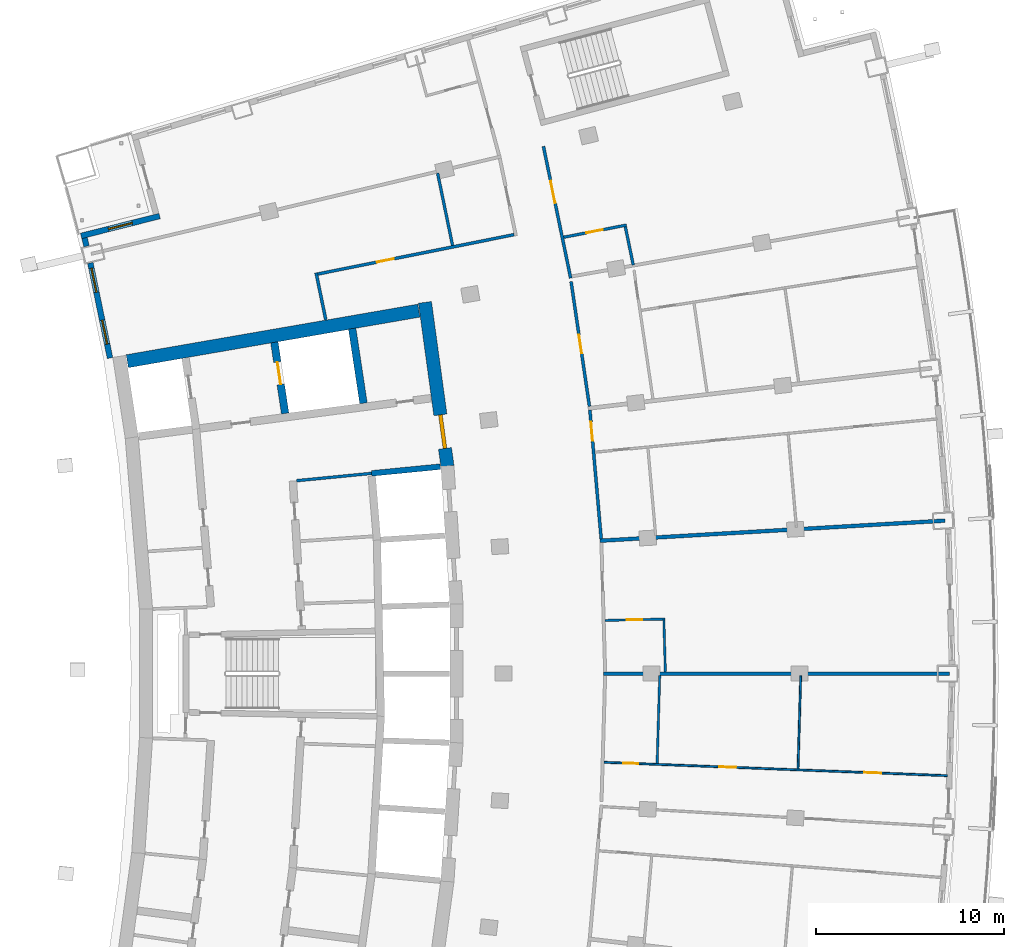
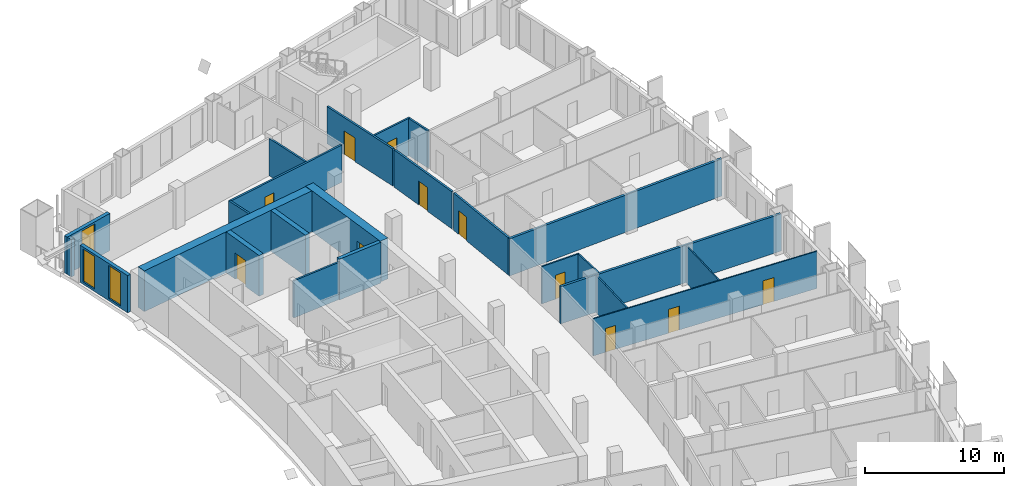
# One storey, part 14 of 20: 24 walls, 11 doors, 3 windows, 14 openings.
"""IFC4 building model written with IfcOpenShell, lengths in metres."""

from ifc_helpers import new_model, si_unit, direction, frame, frame_2d, origin, place, context, subcontext, project, spatial, rectangle, extrude, material, layer, layer_set, type_object, element, fill, save


model = new_model("IFC4")

# Units and contexts
model_context = context("Model", 3, precision=1e-05, world=origin(), true_north=direction((0.0, 1.0)))
body_context = subcontext(model_context, "Body", "Model", "MODEL_VIEW")
ifc_project = project(units=[si_unit("LENGTHUNIT", "METRE"), si_unit("AREAUNIT", "SQUARE_METRE"), si_unit("VOLUMEUNIT", "CUBIC_METRE"), si_unit("PLANEANGLEUNIT", "RADIAN"), si_unit("MASSUNIT", "GRAM", prefix="KILO")], contexts=[model_context])

# Site, building, storey
site_placement = place(None, origin())
site = spatial("IfcSite", under=ifc_project, at=site_placement, CompositionType="ELEMENT")
building_placement = place(site_placement, origin())
building = spatial("IfcBuilding", under=site, at=building_placement, Name="Alderwake Tower", CompositionType="ELEMENT")
storey_placement = place(building_placement, frame((0.0, 0.0, 167.60009765625)))
storey = spatial("IfcBuildingStorey", under=building, at=storey_placement, Name="L41", CompositionType="ELEMENT", Elevation=167.60009765625)

# Wall
ifc_material_1 = material(Name="Gypsum shaft wall system, rated")
ifc_layer_1 = layer(ifc_material_1, 0.14990234375)
ifc_layer_set_1 = layer_set([ifc_layer_1], Name="Core room partition 150")
wall_type_1 = type_object("IfcWallType", Name="Core room partition 150", PredefinedType="PARTITIONING", material=ifc_layer_set_1)
wall_1_placement = place(storey_placement, frame((24.799560546875, 71.2548828125, 0.0), z_axis=(0.0, 0.0, 1.0), x_axis=(0.995250000627, 0.097352125046, 0.0)))
element("IfcWall", 1, at=wall_1_placement, inside=storey, type_object=wall_type_1, Name="CW/L41/PR+102_+86", PredefinedType="PARTITIONING", context=body_context, shape_type="SweptSolid", body=[
    extrude(rectangle(XDim=4.0, YDim=0.14990234375, at=frame_2d((2.0, 0.0))), origin(), (0.0, 0.0, 1.0), 3.27978515625),
])

# Wall, opening, door
ifc_material_2 = material(Name="Concrete C70/85", Category="concrete")
ifc_layer_2 = layer(ifc_material_2, 0.699951171875)
ifc_layer_set_2 = layer_set([ifc_layer_2], Name="Core wall outer 700 C70-85")
wall_type_2 = type_object("IfcWallType", Name="Core wall outer 700 C70-85", PredefinedType="SHEAR", material=ifc_layer_set_2)
wall_2_placement = place(storey_placement, frame((31.618896484375, 80.735107421875, 0.0), z_axis=(0.0, 0.0, 1.0), x_axis=(0.135835706655, -0.99073137671, 0.0)))
wall_2 = element("IfcWall", 2, at=wall_2_placement, inside=storey, type_object=wall_type_2, Name="Core wall CW.009", PredefinedType="SHEAR", context=body_context, shape_type="SweptSolid", body=[
    extrude(rectangle(XDim=8.790771484375, YDim=0.699951171875, at=frame_2d((4.3955078125, 0.0))), origin(), (0.0, 0.0, 1.0), 3.599853515625),
])
opening_1_placement = place(wall_2_placement, frame((6.035888671875, 0.0, 0.0)))
opening_1 = element("IfcOpeningElement", 3, at=opening_1_placement, cuts=wall_2, Name="Opening C001", PredefinedType="OPENING", context=body_context, shape_type="SweptSolid", body=[
    extrude(rectangle(XDim=1.800048828125, YDim=2.10009765625, at=frame_2d((0.89990234375, 1.050048828125))), frame((0.0, 0.35986328125, 0.0), z_axis=(0.0, -1.0, 0.0), x_axis=(1.0, 0.0, 0.0)), (0.0, 0.0, 1.0), 0.719970703125),
])
ifc_material_3 = material(Name="Steel-framed fire door leaves", Category="steel")
door_type_1 = type_object("IfcDoorType", Name="Core double door 1800 fire-rated", OperationType="DOUBLE_DOOR_SINGLE_SWING", PredefinedType="DOOR", material=ifc_material_3)
door_1_placement = place(opening_1_placement, origin())
door_1 = element("IfcDoor", 4, at=door_1_placement, inside=storey, type_object=door_type_1, Name="Lobby double door", OperationType="DOUBLE_DOOR_SINGLE_SWING", OverallHeight=2.10009765625, OverallWidth=1.800048828125, PredefinedType="DOOR", context=body_context, shape_type="SweptSolid", body=[
    extrude(rectangle(XDim=1.800048828125, YDim=2.10009765625, at=frame_2d((0.89990234375, 1.050048828125))), frame((0.0, 0.10009765625, 0.0), z_axis=(0.0, -1.0, 0.0), x_axis=(1.0, 0.0, 0.0)), (0.0, 0.0, 1.0), 0.199951171875),
])
fill(opening_1, door_1)

# Walls
wall_3_placement = place(storey_placement, frame((15.79443359375, 77.606689453125, 0.0), z_axis=(0.0, 0.0, 1.0), x_axis=(0.985301369349, 0.170825090542, 0.0)))
element("IfcWall", 5, at=wall_3_placement, inside=storey, type_object=wall_type_2, Name="Core wall CW.055", PredefinedType="SHEAR", context=body_context, shape_type="SweptSolid", body=[
    extrude(rectangle(XDim=15.732421875, YDim=0.699951171875, at=frame_2d((7.8662109375, 0.0))), origin(), (0.0, 0.0, 1.0), 3.599853515625),
])
ifc_material_4 = material(Name="Concrete C70/85", Category="concrete")
ifc_layer_3 = layer(ifc_material_4, 0.300048828125)
ifc_layer_set_3 = layer_set([ifc_layer_3], Name="Core wall shaft 300 C70-85")
wall_type_3 = type_object("IfcWallType", Name="Core wall shaft 300 C70-85", PredefinedType="SHEAR", material=ifc_layer_set_3)
wall_4_placement = place(storey_placement, frame((28.780517578125, 71.644287109375, 0.0), z_axis=(0.0, 0.0, 1.0), x_axis=(0.995245736737, 0.097395705788, 0.0)))
element("IfcWall", 6, at=wall_4_placement, inside=storey, type_object=wall_type_3, Name="Core wall CW.049", PredefinedType="SHEAR", context=body_context, shape_type="SweptSolid", body=[
    extrude(rectangle(XDim=3.669677734375, YDim=0.300048828125, at=frame_2d((1.8349609375, 0.0))), origin(), (0.0, 0.0, 1.0), 3.599853515625),
])

# Wall, opening, door
ifc_material_5 = material(Name="Concrete C70/85", Category="concrete")
ifc_layer_4 = layer(ifc_material_5, 0.39990234375)
ifc_layer_set_4 = layer_set([ifc_layer_4], Name="Core wall spine 400 C70-85")
wall_type_4 = type_object("IfcWallType", Name="Core wall spine 400 C70-85", PredefinedType="SHEAR", material=ifc_layer_set_4)
wall_5_placement = place(storey_placement, frame((24.186279296875, 74.82861328125, 0.0), z_axis=(0.0, 0.0, 1.0), x_axis=(-0.149604879253, 0.988745862243, 0.0)))
wall_5 = element("IfcWall", 7, at=wall_5_placement, inside=storey, type_object=wall_type_4, Name="Core wall CW.044", PredefinedType="SHEAR", context=body_context, shape_type="SweptSolid", body=[
    extrude(rectangle(XDim=3.823486328125, YDim=0.39990234375, at=frame_2d((1.91162109375, 0.0))), origin(), (0.0, 0.0, 1.0), 3.599853515625),
])
opening_2_placement = place(wall_5_placement, frame((1.561767578125, 0.0, 0.0)))
opening_2 = element("IfcOpeningElement", 8, at=opening_2_placement, cuts=wall_5, Name="Opening LD-FF2", PredefinedType="OPENING", context=body_context, shape_type="SweptSolid", body=[
    extrude(rectangle(XDim=1.199951171875, YDim=2.300048828125, at=frame_2d((0.60009765625, 1.14990234375))), frame((0.0, 0.2099609375, 0.0), z_axis=(0.0, -1.0, 0.0), x_axis=(1.0, 0.0, 0.0)), (0.0, 0.0, 1.0), 0.419921875),
])
ifc_material_6 = material(Name="Stainless steel sliding leaf", Category="steel")
door_type_2 = type_object("IfcDoorType", Name="Lift landing door 1200", OperationType="SLIDING_TO_LEFT", PredefinedType="DOOR", material=ifc_material_6)
door_2_placement = place(opening_2_placement, origin())
door_2 = element("IfcDoor", 9, at=door_2_placement, inside=storey, type_object=door_type_2, Name="Lift landing door FF2", OperationType="SLIDING_TO_LEFT", OverallHeight=2.300048828125, OverallWidth=1.199951171875, PredefinedType="DOOR", context=body_context, shape_type="SweptSolid", body=[
    extrude(rectangle(XDim=1.199951171875, YDim=2.300048828125, at=frame_2d((0.60009765625, 1.14990234375))), frame((0.0, 0.02490234375, 0.0), z_axis=(0.0, -1.0, 0.0), x_axis=(1.0, 0.0, 0.0)), (0.0, 0.0, 1.0), 0.050048828125),
])
fill(opening_2, door_2)

# Walls
wall_6_placement = place(storey_placement, frame((28.350830078125, 75.373291015625, 0.0), z_axis=(0.0, 0.0, 1.0), x_axis=(-0.149688214264, 0.988733249421, 0.0)))
element("IfcWall", 10, at=wall_6_placement, inside=storey, type_object=wall_type_4, Name="Core wall CW.001", PredefinedType="SHEAR", context=body_context, shape_type="SweptSolid", body=[
    extrude(rectangle(XDim=4.01220703125, YDim=0.39990234375, at=frame_2d((2.006103515625, 0.0))), origin(), (0.0, 0.0, 1.0), 3.599853515625),
])
ifc_material_7 = material(Name="Gypsum board on metal studs, rated")
ifc_layer_5 = layer(ifc_material_7, 0.159912109375)
ifc_layer_set_5 = layer_set([ifc_layer_5], Name="Corridor wall 160")
wall_type_5 = type_object("IfcWallType", Name="Corridor wall 160", PredefinedType="PARTITIONING", material=ifc_layer_set_5)
wall_7_placement = place(storey_placement, frame((25.831787109375, 82.305419921875, 0.0), z_axis=(0.0, 0.0, 1.0), x_axis=(0.202450797205, -0.979292435747, 0.0)))
element("IfcWall", 11, at=wall_7_placement, inside=storey, type_object=wall_type_5, Name="WL/L41/W14", PredefinedType="PARTITIONING", context=body_context, shape_type="SweptSolid", body=[
    extrude(rectangle(XDim=2.555419921875, YDim=0.159912109375, at=frame_2d((1.27783203125, 0.0))), origin(), (0.0, 0.0, 1.0), 3.27978515625),
])

# Wall, opening, door
wall_8_placement = place(storey_placement, frame((25.926513671875, 82.24267578125, 0.0), z_axis=(0.0, 0.0, 1.0), x_axis=(0.98046310274, 0.196703086316, 0.0)))
wall_8 = element("IfcWall", 12, at=wall_8_placement, inside=storey, type_object=wall_type_5, Name="WL/L41/W19", PredefinedType="PARTITIONING", context=body_context, shape_type="SweptSolid", body=[
    extrude(rectangle(XDim=10.637939453125, YDim=0.159912109375, at=frame_2d((5.31884765625, 0.0))), origin(), (0.0, 0.0, 1.0), 3.27978515625),
])
opening_3_placement = place(wall_8_placement, frame((3.208984375, 0.0, 0.0)))
opening_3 = element("IfcOpeningElement", 13, at=opening_3_placement, cuts=wall_8, Name="Opening R11-SBN1", PredefinedType="OPENING", context=body_context, shape_type="SweptSolid", body=[
    extrude(rectangle(XDim=0.89990234375, YDim=2.10009765625, at=frame_2d((0.449951171875, 1.050048828125))), frame((0.0, 0.08984375, 0.0), z_axis=(0.0, -1.0, 0.0), x_axis=(1.0, 0.0, 0.0)), (0.0, 0.0, 1.0), 0.179931640625),
])
ifc_material_8 = material(Name="Painted timber leaf", Category="wood")
door_type_3 = type_object("IfcDoorType", Name="Room door 900", OperationType="SINGLE_SWING_LEFT", PredefinedType="DOOR", material=ifc_material_8)
door_3_placement = place(opening_3_placement, origin())
door_3 = element("IfcDoor", 14, at=door_3_placement, inside=storey, type_object=door_type_3, Name="DR/L41/SBN1", OperationType="SINGLE_SWING_LEFT", OverallHeight=2.10009765625, OverallWidth=0.89990234375, PredefinedType="DOOR", context=body_context, shape_type="SweptSolid", body=[
    extrude(rectangle(XDim=0.89990234375, YDim=2.10009765625, at=frame_2d((0.449951171875, 1.050048828125))), frame((0.0, 0.02490234375, 0.0), z_axis=(0.0, -1.0, 0.0), x_axis=(1.0, 0.0, 0.0)), (0.0, 0.0, 1.0), 0.050048828125),
])
fill(opening_3, door_3)

wall_9_placement = place(storey_placement, frame((37.9169921875, 89.02490234375, 0.0), z_axis=(0.0, 0.0, 1.0), x_axis=(0.202409142021, -0.979301046271, 0.0)))
wall_9 = element("IfcWall", 15, at=wall_9_placement, inside=storey, type_object=wall_type_5, Name="WL/L41/W22", PredefinedType="PARTITIONING", context=body_context, shape_type="SweptSolid", body=[
    extrude(rectangle(XDim=7.150146484375, YDim=0.159912109375, at=frame_2d((3.5751953125, 0.0))), origin(), (0.0, 0.0, 1.0), 3.27978515625),
])
opening_4_placement = place(wall_9_placement, frame((1.874755859375, 0.0, 0.0)))
opening_4 = element("IfcOpeningElement", 16, at=opening_4_placement, cuts=wall_9, Name="Opening R11-AM1.1", PredefinedType="OPENING", context=body_context, shape_type="SweptSolid", body=[
    extrude(rectangle(XDim=1.199951171875, YDim=2.10009765625, at=frame_2d((0.60009765625, 1.050048828125))), frame((0.0, 0.08984375, 0.0), z_axis=(0.0, -1.0, 0.0), x_axis=(1.0, 0.0, 0.0)), (0.0, 0.0, 1.0), 0.179931640625),
])
ifc_material_9 = material(Name="Steel-framed fire door leaf", Category="steel")
door_type_4 = type_object("IfcDoorType", Name="Lobby door 1200 fire-rated", OperationType="SINGLE_SWING_LEFT", PredefinedType="DOOR", material=ifc_material_9)
door_4_placement = place(opening_4_placement, origin())
door_4 = element("IfcDoor", 17, at=door_4_placement, inside=storey, type_object=door_type_4, Name="DR/L41/AM1.1", OperationType="SINGLE_SWING_LEFT", OverallHeight=2.10009765625, OverallWidth=1.199951171875, PredefinedType="DOOR", context=body_context, shape_type="SweptSolid", body=[
    extrude(rectangle(XDim=1.199951171875, YDim=2.10009765625, at=frame_2d((0.60009765625, 1.050048828125))), frame((0.0, 0.02490234375, 0.0), z_axis=(0.0, -1.0, 0.0), x_axis=(1.0, 0.0, 0.0)), (0.0, 0.0, 1.0), 0.050048828125),
])
fill(opening_4, door_4)

wall_10_placement = place(storey_placement, frame((39.38671875, 81.837158203125, 0.0), z_axis=(0.0, 0.0, 1.0), x_axis=(0.145576845789, -0.989346947218, 0.0)))
wall_10 = element("IfcWall", 18, at=wall_10_placement, inside=storey, type_object=wall_type_5, Name="WL/L41/W24", PredefinedType="PARTITIONING", context=body_context, shape_type="SweptSolid", body=[
    extrude(rectangle(XDim=6.701416015625, YDim=0.159912109375, at=frame_2d((3.3505859375, 0.0))), origin(), (0.0, 0.0, 1.0), 3.27978515625),
])
opening_5_placement = place(wall_10_placement, frame((2.850830078125, 0.0, 0.0)))
opening_5 = element("IfcOpeningElement", 19, at=opening_5_placement, cuts=wall_10, Name="Opening R11-U08.2", PredefinedType="OPENING", context=body_context, shape_type="SweptSolid", body=[
    extrude(rectangle(XDim=1.0, YDim=2.10009765625, at=frame_2d((0.5, 1.050048828125))), frame((0.0, 0.08984375, 0.0), z_axis=(0.0, -1.0, 0.0), x_axis=(1.0, 0.0, 0.0)), (0.0, 0.0, 1.0), 0.179931640625),
])
ifc_material_10 = material(Name="Solid timber leaf in steel frame", Category="steel")
door_type_5 = type_object("IfcDoorType", Name="Flat entrance door 1000 fire-rated", OperationType="SINGLE_SWING_LEFT", PredefinedType="DOOR", material=ifc_material_10)
door_5_placement = place(opening_5_placement, origin())
door_5 = element("IfcDoor", 20, at=door_5_placement, inside=storey, type_object=door_type_5, Name="DR/L41/U08.2", OperationType="SINGLE_SWING_LEFT", OverallHeight=2.10009765625, OverallWidth=1.0, PredefinedType="DOOR", context=body_context, shape_type="SweptSolid", body=[
    extrude(rectangle(XDim=1.0, YDim=2.10009765625, at=frame_2d((0.5, 1.050048828125))), frame((0.0, 0.02490234375, 0.0), z_axis=(0.0, -1.0, 0.0), x_axis=(1.0, 0.0, 0.0)), (0.0, 0.0, 1.0), 0.050048828125),
])
fill(opening_5, door_5)

wall_11_placement = place(storey_placement, frame((40.3857421875, 75.00830078125, 0.0), z_axis=(0.0, 0.0, 1.0), x_axis=(0.087448731147, -0.996169021512, 0.0)))
wall_11 = element("IfcWall", 21, at=wall_11_placement, inside=storey, type_object=wall_type_5, Name="WL/L41/W26", PredefinedType="PARTITIONING", context=body_context, shape_type="SweptSolid", body=[
    extrude(rectangle(XDim=6.867919921875, YDim=0.159912109375, at=frame_2d((3.43408203125, 0.0))), origin(), (0.0, 0.0, 1.0), 3.27978515625),
])
opening_6_placement = place(wall_11_placement, frame((0.628173828125, 0.0, 0.0)))
opening_6 = element("IfcOpeningElement", 22, at=opening_6_placement, cuts=wall_11, Name="Opening R11-U07.2", PredefinedType="OPENING", context=body_context, shape_type="SweptSolid", body=[
    extrude(rectangle(XDim=1.0, YDim=2.10009765625, at=frame_2d((0.5, 1.050048828125))), frame((0.0, 0.08984375, 0.0), z_axis=(0.0, -1.0, 0.0), x_axis=(1.0, 0.0, 0.0)), (0.0, 0.0, 1.0), 0.179931640625),
])
door_6_placement = place(opening_6_placement, origin())
door_6 = element("IfcDoor", 23, at=door_6_placement, inside=storey, type_object=door_type_5, Name="DR/L41/U07.2", OperationType="SINGLE_SWING_LEFT", OverallHeight=2.10009765625, OverallWidth=1.0, PredefinedType="DOOR", context=body_context, shape_type="SweptSolid", body=[
    extrude(rectangle(XDim=1.0, YDim=2.10009765625, at=frame_2d((0.5, 1.050048828125))), frame((0.0, 0.02490234375, 0.0), z_axis=(0.0, -1.0, 0.0), x_axis=(1.0, 0.0, 0.0)), (0.0, 0.0, 1.0), 0.050048828125),
])
fill(opening_6, door_6)

# Wall
ifc_material_11 = material(Name="Precast concrete C50/60 spandrel panel", Category="concrete")
ifc_layer_6 = layer(ifc_material_11, 0.300048828125)
ifc_layer_set_6 = layer_set([ifc_layer_6], Name="External wall EW1 Precast concrete C50/60 spandrel")
wall_type_6 = type_object("IfcWallType", Name="External wall EW1 Precast concrete C50/60 spandrel", PredefinedType="SOLIDWALL", material=ifc_layer_set_6)
wall_12_placement = place(storey_placement, frame((13.523193359375, 84.1572265625, 0.0), z_axis=(0.0, 0.0, 1.0), x_axis=(0.238729806706, -0.97108603089, 0.0)))
element("IfcWall", 24, at=wall_12_placement, inside=storey, type_object=wall_type_6, Name="External wall 30", PredefinedType="SOLIDWALL", context=body_context, shape_type="SweptSolid", body=[
    extrude(rectangle(XDim=0.453125, YDim=0.300048828125, at=frame_2d((0.2265625, 0.0))), origin(), (0.0, 0.0, 1.0), 3.27978515625),
])

# Wall, openings, windows
wall_13_placement = place(storey_placement, frame((13.83203125, 82.8291015625, 0.0), z_axis=(0.0, 0.0, 1.0), x_axis=(0.202754243564, -0.979229654737, 0.0)))
wall_13 = element("IfcWall", 25, at=wall_13_placement, inside=storey, type_object=wall_type_6, Name="External wall 31", PredefinedType="SOLIDWALL", context=body_context, shape_type="SweptSolid", body=[
    extrude(rectangle(XDim=5.15966796875, YDim=0.300048828125, at=frame_2d((2.579833984375, 0.0))), origin(), (0.0, 0.0, 1.0), 3.27978515625),
])
opening_7_placement = place(wall_13_placement, frame((0.29052734375, 0.0, 0.199951171875)))
opening_7 = element("IfcOpeningElement", 26, at=opening_7_placement, cuts=wall_13, Name="Opening W1", PredefinedType="OPENING", context=body_context, shape_type="SweptSolid", body=[
    extrude(rectangle(XDim=1.300048828125, YDim=2.89990234375, at=frame_2d((0.64990234375, 1.449951171875))), frame((0.0, 0.159912109375, 0.0), z_axis=(0.0, -1.0, 0.0), x_axis=(1.0, 0.0, 0.0)), (0.0, 0.0, 1.0), 0.320068359375),
])
opening_8_placement = place(wall_13_placement, frame((3.103271484375, 0.0, 0.199951171875)))
opening_8 = element("IfcOpeningElement", 27, at=opening_8_placement, cuts=wall_13, Name="Opening W1", PredefinedType="OPENING", context=body_context, shape_type="SweptSolid", body=[
    extrude(rectangle(XDim=1.300048828125, YDim=2.89990234375, at=frame_2d((0.64990234375, 1.449951171875))), frame((0.0, 0.159912109375, 0.0), z_axis=(0.0, -1.0, 0.0), x_axis=(1.0, 0.0, 0.0)), (0.0, 0.0, 1.0), 0.320068359375),
])
ifc_material_12 = material(Name="Bronze tinted glass in aluminium frame", Category="aluminium")
window_type = type_object("IfcWindowType", Name="Window W1 tall fixed and vent", PartitioningType="DOUBLE_PANEL_VERTICAL", PredefinedType="WINDOW", material=ifc_material_12)
window_1_placement = place(opening_7_placement, origin())
window_1 = element("IfcWindow", 28, at=window_1_placement, inside=storey, type_object=window_type, Name="Window W1 tall fixed and vent", OverallHeight=2.89990234375, OverallWidth=1.300048828125, PartitioningType="DOUBLE_PANEL_VERTICAL", PredefinedType="WINDOW", context=body_context, shape_type="SweptSolid", body=[
    extrude(rectangle(XDim=1.300048828125, YDim=2.89990234375, at=frame_2d((0.64990234375, 1.449951171875))), frame((0.0, 0.030029296875, 0.0), z_axis=(0.0, -1.0, 0.0), x_axis=(1.0, 0.0, 0.0)), (0.0, 0.0, 1.0), 0.06005859375),
])
fill(opening_7, window_1)
window_2_placement = place(opening_8_placement, origin())
window_2 = element("IfcWindow", 29, at=window_2_placement, inside=storey, type_object=window_type, Name="Window W1 tall fixed and vent", OverallHeight=2.89990234375, OverallWidth=1.300048828125, PartitioningType="DOUBLE_PANEL_VERTICAL", PredefinedType="WINDOW", context=body_context, shape_type="SweptSolid", body=[
    extrude(rectangle(XDim=1.300048828125, YDim=2.89990234375, at=frame_2d((0.64990234375, 1.449951171875))), frame((0.0, 0.030029296875, 0.0), z_axis=(0.0, -1.0, 0.0), x_axis=(1.0, 0.0, 0.0)), (0.0, 0.0, 1.0), 0.06005859375),
])
fill(opening_8, window_2)

# Wall, opening, window
ifc_material_13 = material(Name="Bronze metal cladding on lightweight framing")
ifc_layer_7 = layer(ifc_material_13, 0.300048828125)
ifc_layer_set_7 = layer_set([ifc_layer_7], Name="External wall EW2 bronze metal cladding")
wall_type_7 = type_object("IfcWallType", Name="External wall EW2 bronze metal cladding", PredefinedType="SOLIDWALL", material=ifc_layer_set_7)
wall_14_placement = place(storey_placement, frame((17.51611328125, 85.32275390625, 0.0), z_axis=(0.0, 0.0, 1.0), x_axis=(-0.969417740682, -0.245416470617, 0.0)))
wall_14 = element("IfcWall", 30, at=wall_14_placement, inside=storey, type_object=wall_type_7, Name="External wall 29", PredefinedType="SOLIDWALL", context=body_context, shape_type="SweptSolid", body=[
    extrude(rectangle(XDim=4.305419921875, YDim=0.300048828125, at=frame_2d((2.15283203125, 0.0))), origin(), (0.0, 0.0, 1.0), 3.27978515625),
])
opening_9_placement = place(wall_14_placement, frame((1.502685546875, 0.0, 0.199951171875)))
opening_9 = element("IfcOpeningElement", 31, at=opening_9_placement, cuts=wall_14, Name="Opening W1", PredefinedType="OPENING", context=body_context, shape_type="SweptSolid", body=[
    extrude(rectangle(XDim=1.300048828125, YDim=2.89990234375, at=frame_2d((0.64990234375, 1.449951171875))), frame((0.0, 0.159912109375, 0.0), z_axis=(0.0, -1.0, 0.0), x_axis=(1.0, 0.0, 0.0)), (0.0, 0.0, 1.0), 0.320068359375),
])
window_3_placement = place(opening_9_placement, origin())
window_3 = element("IfcWindow", 32, at=window_3_placement, inside=storey, type_object=window_type, Name="Window W1 tall fixed and vent", OverallHeight=2.89990234375, OverallWidth=1.300048828125, PartitioningType="DOUBLE_PANEL_VERTICAL", PredefinedType="WINDOW", context=body_context, shape_type="SweptSolid", body=[
    extrude(rectangle(XDim=1.300048828125, YDim=2.89990234375, at=frame_2d((0.64990234375, 1.449951171875))), frame((0.0, 0.030029296875, 0.0), z_axis=(0.0, -1.0, 0.0), x_axis=(1.0, 0.0, 0.0)), (0.0, 0.0, 1.0), 0.06005859375),
])
fill(opening_9, window_3)

# Walls
ifc_material_14 = material(Name="Dense block masonry wall", Category="masonry")
ifc_layer_8 = layer(ifc_material_14, 0.199951171875)
ifc_layer_set_8 = layer_set([ifc_layer_8], Name="Party wall 200")
wall_type_8 = type_object("IfcWallType", Name="Party wall 200", PredefinedType="SOLIDWALL", material=ifc_layer_set_8)
wall_15_placement = place(storey_placement, frame((59.261962890625, 69.132080078125, 0.0), z_axis=(0.0, 0.0, 1.0), x_axis=(-0.99830424713, -0.058211941755, 0.0)))
element("IfcWall", 33, at=wall_15_placement, inside=storey, type_object=wall_type_8, Name="WL/L41/W04", PredefinedType="SOLIDWALL", context=body_context, shape_type="SweptSolid", body=[
    extrude(rectangle(XDim=18.378173828125, YDim=0.199951171875, at=frame_2d((9.18896484375, 0.0))), origin(), (0.0, 0.0, 1.0), 3.27978515625),
])
wall_16_placement = place(storey_placement, frame((59.4990234375, 60.9990234375, 0.0), z_axis=(0.0, 0.0, 1.0), x_axis=(-1.0, 0.0, 0.0)))
element("IfcWall", 34, at=wall_16_placement, inside=storey, type_object=wall_type_8, Name="WL/L41/W05", PredefinedType="SOLIDWALL", context=body_context, shape_type="SweptSolid", body=[
    extrude(rectangle(XDim=18.380126953125, YDim=0.199951171875, at=frame_2d((9.18994140625, 0.0))), origin(), (0.0, 0.0, 1.0), 3.27978515625),
])
ifc_material_15 = material(Name="Gypsum shaft wall system, rated")
ifc_layer_9 = layer(ifc_material_15, 0.14990234375)
ifc_layer_set_9 = layer_set([ifc_layer_9], Name="Riser and shaft wall 150")
wall_type_9 = type_object("IfcWallType", Name="Riser and shaft wall 150", PredefinedType="PARTITIONING", material=ifc_layer_set_9)
wall_17_placement = place(storey_placement, frame((33.085693359375, 83.76025390625, 0.0), z_axis=(0.0, 0.0, 1.0), x_axis=(-0.2025562632, 0.97927062666, 0.0)))
element("IfcWall", 35, at=wall_17_placement, inside=storey, type_object=wall_type_9, Name="WL/L41/W07", PredefinedType="PARTITIONING", context=body_context, shape_type="SweptSolid", body=[
    extrude(rectangle(XDim=3.9267578125, YDim=0.14990234375, at=frame_2d((1.96337890625, 0.0))), origin(), (0.0, 0.0, 1.0), 3.27978515625),
])

# Wall, opening, door
wall_18_placement = place(storey_placement, frame((42.32861328125, 84.84228515625, 0.0), z_axis=(0.0, 0.0, 1.0), x_axis=(-0.981655808185, -0.190661674853, 0.0)))
wall_18 = element("IfcWall", 36, at=wall_18_placement, inside=storey, type_object=wall_type_9, Name="WL/L41/W08", PredefinedType="PARTITIONING", context=body_context, shape_type="SweptSolid", body=[
    extrude(rectangle(XDim=3.393310546875, YDim=0.14990234375, at=frame_2d((1.69677734375, 0.0))), origin(), (0.0, 0.0, 1.0), 3.27978515625),
])
opening_10_placement = place(wall_18_placement, frame((1.2841796875, 0.0, 0.0)))
opening_10 = element("IfcOpeningElement", 37, at=opening_10_placement, cuts=wall_18, Name="Opening R11-AM1.2", PredefinedType="OPENING", context=body_context, shape_type="SweptSolid", body=[
    extrude(rectangle(XDim=0.89990234375, YDim=2.10009765625, at=frame_2d((0.449951171875, 1.050048828125))), frame((0.0, 0.0849609375, 0.0), z_axis=(0.0, -1.0, 0.0), x_axis=(1.0, 0.0, 0.0)), (0.0, 0.0, 1.0), 0.169921875),
])
door_7_placement = place(opening_10_placement, origin())
door_7 = element("IfcDoor", 38, at=door_7_placement, inside=storey, type_object=door_type_3, Name="DR/L41/AM1.2", OperationType="SINGLE_SWING_LEFT", OverallHeight=2.10009765625, OverallWidth=0.89990234375, PredefinedType="DOOR", context=body_context, shape_type="SweptSolid", body=[
    extrude(rectangle(XDim=0.89990234375, YDim=2.10009765625, at=frame_2d((0.449951171875, 1.050048828125))), frame((0.0, 0.02490234375, 0.0), z_axis=(0.0, -1.0, 0.0), x_axis=(1.0, 0.0, 0.0)), (0.0, 0.0, 1.0), 0.050048828125),
])
fill(opening_10, door_7)

# Wall
wall_19_placement = place(storey_placement, frame((42.69189453125, 82.714599609375, 0.0), z_axis=(0.0, 0.0, 1.0), x_axis=(-0.202423435623, 0.979298091855, 0.0)))
element("IfcWall", 39, at=wall_19_placement, inside=storey, type_object=wall_type_9, Name="WL/L41/W09", PredefinedType="PARTITIONING", context=body_context, shape_type="SweptSolid", body=[
    extrude(rectangle(XDim=2.0830078125, YDim=0.14990234375, at=frame_2d((1.04150390625, 0.0))), origin(), (0.0, 0.0, 1.0), 3.27978515625),
])

# Wall, openings, doors
ifc_material_16 = material(Name="Gypsum board on metal studs")
ifc_layer_10 = layer(ifc_material_16, 0.10009765625)
ifc_layer_set_10 = layer_set([ifc_layer_10], Name="Unit partition 100")
wall_type_10 = type_object("IfcWallType", Name="Unit partition 100", PredefinedType="PARTITIONING", material=ifc_layer_set_10)
wall_20_placement = place(storey_placement, frame((41.143798828125, 56.285888671875, 0.0), z_axis=(0.0, 0.0, 1.0), x_axis=(0.999241874954, -0.03893167525, 0.0)))
wall_20 = element("IfcWall", 40, at=wall_20_placement, inside=storey, type_object=wall_type_10, Name="WL/L41/W46", PredefinedType="PARTITIONING", context=body_context, shape_type="SweptSolid", body=[
    extrude(rectangle(XDim=18.26123046875, YDim=0.10009765625, at=frame_2d((9.130615234375, 0.0))), origin(), (0.0, 0.0, 1.0), 3.27978515625),
])
opening_11_placement = place(wall_20_placement, frame((6.1142578125, 0.0, 0.0)))
opening_11 = element("IfcOpeningElement", 41, at=opening_11_placement, cuts=wall_20, Name="Opening R11-U05.5", PredefinedType="OPENING", context=body_context, shape_type="SweptSolid", body=[
    extrude(rectangle(XDim=0.89990234375, YDim=2.10009765625, at=frame_2d((0.449951171875, 1.050048828125))), frame((0.0, 0.06005859375, 0.0), z_axis=(0.0, -1.0, 0.0), x_axis=(1.0, 0.0, 0.0)), (0.0, 0.0, 1.0), 0.1201171875),
])
opening_12_placement = place(wall_20_placement, frame((1.0087890625, 0.0, 0.0)))
opening_12 = element("IfcOpeningElement", 42, at=opening_12_placement, cuts=wall_20, Name="Opening R11-U05.6", PredefinedType="OPENING", context=body_context, shape_type="SweptSolid", body=[
    extrude(rectangle(XDim=0.800048828125, YDim=2.10009765625, at=frame_2d((0.39990234375, 1.050048828125))), frame((0.0, 0.06005859375, 0.0), z_axis=(0.0, -1.0, 0.0), x_axis=(1.0, 0.0, 0.0)), (0.0, 0.0, 1.0), 0.1201171875),
])
opening_13_placement = place(wall_20_placement, frame((13.8359375, 0.0, 0.0)))
opening_13 = element("IfcOpeningElement", 43, at=opening_13_placement, cuts=wall_20, Name="Opening R11-U05.7", PredefinedType="OPENING", context=body_context, shape_type="SweptSolid", body=[
    extrude(rectangle(XDim=0.89990234375, YDim=2.10009765625, at=frame_2d((0.449951171875, 1.050048828125))), frame((0.0, 0.06005859375, 0.0), z_axis=(0.0, -1.0, 0.0), x_axis=(1.0, 0.0, 0.0)), (0.0, 0.0, 1.0), 0.1201171875),
])
ifc_material_17 = material(Name="Painted timber leaf", Category="wood")
door_type_6 = type_object("IfcDoorType", Name="Bathroom door 800", OperationType="SINGLE_SWING_LEFT", PredefinedType="DOOR", material=ifc_material_17)
door_8_placement = place(opening_12_placement, origin())
door_8 = element("IfcDoor", 44, at=door_8_placement, inside=storey, type_object=door_type_6, Name="DR/L41/U05.6", OperationType="SINGLE_SWING_LEFT", OverallHeight=2.10009765625, OverallWidth=0.800048828125, PredefinedType="DOOR", context=body_context, shape_type="SweptSolid", body=[
    extrude(rectangle(XDim=0.800048828125, YDim=2.10009765625, at=frame_2d((0.39990234375, 1.050048828125))), frame((0.0, 0.02490234375, 0.0), z_axis=(0.0, -1.0, 0.0), x_axis=(1.0, 0.0, 0.0)), (0.0, 0.0, 1.0), 0.050048828125),
])
fill(opening_12, door_8)
door_9_placement = place(opening_11_placement, origin())
door_9 = element("IfcDoor", 45, at=door_9_placement, inside=storey, type_object=door_type_3, Name="DR/L41/U05.5", OperationType="SINGLE_SWING_LEFT", OverallHeight=2.10009765625, OverallWidth=0.89990234375, PredefinedType="DOOR", context=body_context, shape_type="SweptSolid", body=[
    extrude(rectangle(XDim=0.89990234375, YDim=2.10009765625, at=frame_2d((0.449951171875, 1.050048828125))), frame((0.0, 0.02490234375, 0.0), z_axis=(0.0, -1.0, 0.0), x_axis=(1.0, 0.0, 0.0)), (0.0, 0.0, 1.0), 0.050048828125),
])
fill(opening_11, door_9)
door_10_placement = place(opening_13_placement, origin())
door_10 = element("IfcDoor", 46, at=door_10_placement, inside=storey, type_object=door_type_3, Name="DR/L41/U05.7", OperationType="SINGLE_SWING_LEFT", OverallHeight=2.10009765625, OverallWidth=0.89990234375, PredefinedType="DOOR", context=body_context, shape_type="SweptSolid", body=[
    extrude(rectangle(XDim=0.89990234375, YDim=2.10009765625, at=frame_2d((0.449951171875, 1.050048828125))), frame((0.0, 0.02490234375, 0.0), z_axis=(0.0, -1.0, 0.0), x_axis=(1.0, 0.0, 0.0)), (0.0, 0.0, 1.0), 0.050048828125),
])
fill(opening_13, door_10)

# Walls
wall_21_placement = place(storey_placement, frame((51.448486328125, 55.93408203125, 0.0), z_axis=(0.0, 0.0, 1.0), x_axis=(0.02929505318, 0.999570807827, 0.0)))
element("IfcWall", 47, at=wall_21_placement, inside=storey, type_object=wall_type_10, Name="WL/L41/W53", PredefinedType="PARTITIONING", context=body_context, shape_type="SweptSolid", body=[
    extrude(rectangle(XDim=4.967041015625, YDim=0.10009765625, at=frame_2d((2.4833984375, 0.0))), origin(), (0.0, 0.0, 1.0), 3.27978515625),
])
ifc_material_18 = material(Name="Moisture resistant gypsum board on metal studs")
ifc_layer_11 = layer(ifc_material_18, 0.1201171875)
ifc_layer_set_11 = layer_set([ifc_layer_11], Name="Wet room partition 120")
wall_type_11 = type_object("IfcWallType", Name="Wet room partition 120", PredefinedType="PARTITIONING", material=ifc_layer_set_11)
wall_22_placement = place(storey_placement, frame((43.96044921875, 56.22802734375, 0.0), z_axis=(0.0, 0.0, 1.0), x_axis=(0.029257801765, 0.999571898883, 0.0)))
element("IfcWall", 48, at=wall_22_placement, inside=storey, type_object=wall_type_11, Name="WL/L41/W38", PredefinedType="PARTITIONING", context=body_context, shape_type="SweptSolid", body=[
    extrude(rectangle(XDim=4.6728515625, YDim=0.1201171875, at=frame_2d((2.33642578125, 0.0))), origin(), (0.0, 0.0, 1.0), 3.27978515625),
])

# Wall, opening, door
wall_23_placement = place(storey_placement, frame((44.3759765625, 63.9013671875, 0.0), z_axis=(0.0, 0.0, 1.0), x_axis=(-0.999725609485, -0.02342446884, 0.0)))
wall_23 = element("IfcWall", 49, at=wall_23_placement, inside=storey, type_object=wall_type_11, Name="WL/L41/W39", PredefinedType="PARTITIONING", context=body_context, shape_type="SweptSolid", body=[
    extrude(rectangle(XDim=3.178955078125, YDim=0.1201171875, at=frame_2d((1.58935546875, 0.0))), origin(), (0.0, 0.0, 1.0), 3.27978515625),
])
opening_14_placement = place(wall_23_placement, frame((1.2197265625, 0.0, 0.0)))
opening_14 = element("IfcOpeningElement", 50, at=opening_14_placement, cuts=wall_23, Name="Opening R11-U06.2", PredefinedType="OPENING", context=body_context, shape_type="SweptSolid", body=[
    extrude(rectangle(XDim=0.800048828125, YDim=2.10009765625, at=frame_2d((0.39990234375, 1.050048828125))), frame((0.0, 0.070068359375, 0.0), z_axis=(0.0, -1.0, 0.0), x_axis=(1.0, 0.0, 0.0)), (0.0, 0.0, 1.0), 0.14013671875),
])
door_11_placement = place(opening_14_placement, origin())
door_11 = element("IfcDoor", 51, at=door_11_placement, inside=storey, type_object=door_type_6, Name="DR/L41/U06.2", OperationType="SINGLE_SWING_LEFT", OverallHeight=2.10009765625, OverallWidth=0.800048828125, PredefinedType="DOOR", context=body_context, shape_type="SweptSolid", body=[
    extrude(rectangle(XDim=0.800048828125, YDim=2.10009765625, at=frame_2d((0.39990234375, 1.050048828125))), frame((0.0, 0.02490234375, 0.0), z_axis=(0.0, -1.0, 0.0), x_axis=(1.0, 0.0, 0.0)), (0.0, 0.0, 1.0), 0.050048828125),
])
fill(opening_14, door_11)

# Wall
wall_24_placement = place(storey_placement, frame((44.397216796875, 61.09912109375, 0.0), z_axis=(0.0, 0.0, 1.0), x_axis=(-0.029024908923, 0.999578688579, 0.0)))
element("IfcWall", 52, at=wall_24_placement, inside=storey, type_object=wall_type_11, Name="WL/L41/W40", PredefinedType="PARTITIONING", context=body_context, shape_type="SweptSolid", body=[
    extrude(rectangle(XDim=2.7421875, YDim=0.1201171875, at=frame_2d((1.37109375, 0.0))), origin(), (0.0, 0.0, 1.0), 3.27978515625),
])

save(model, "model.ifc")
